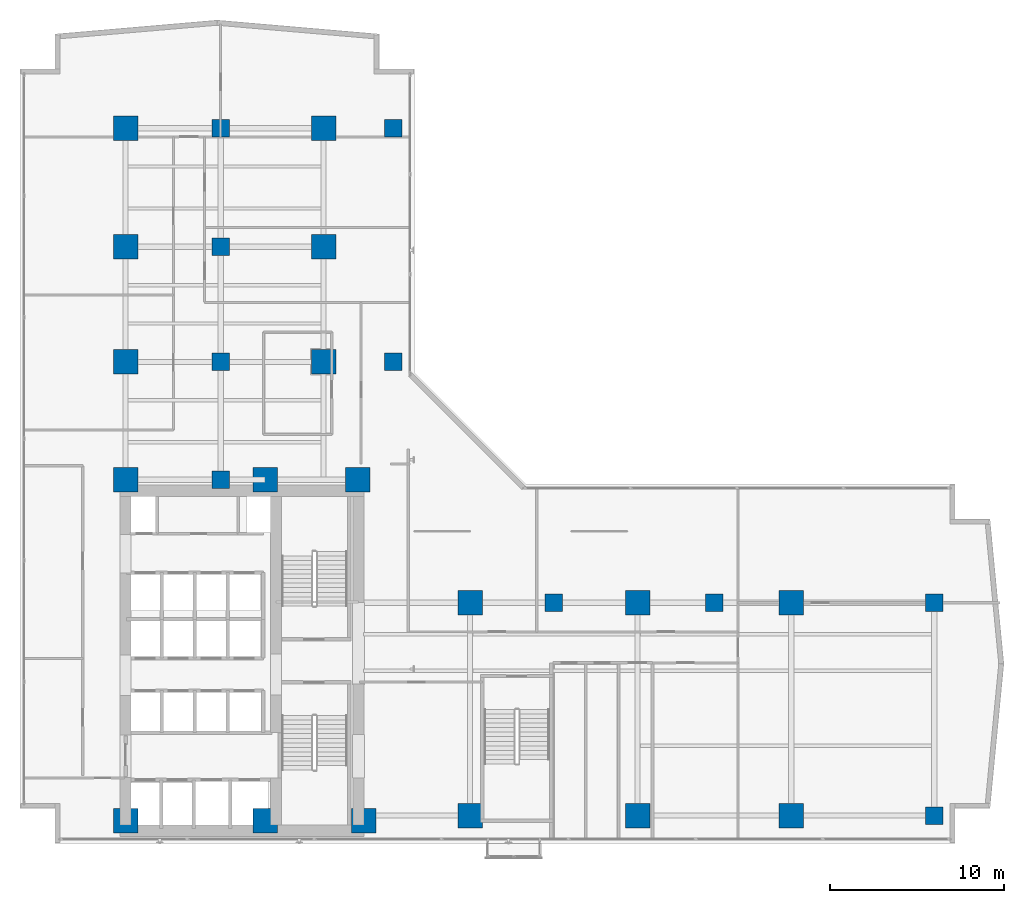
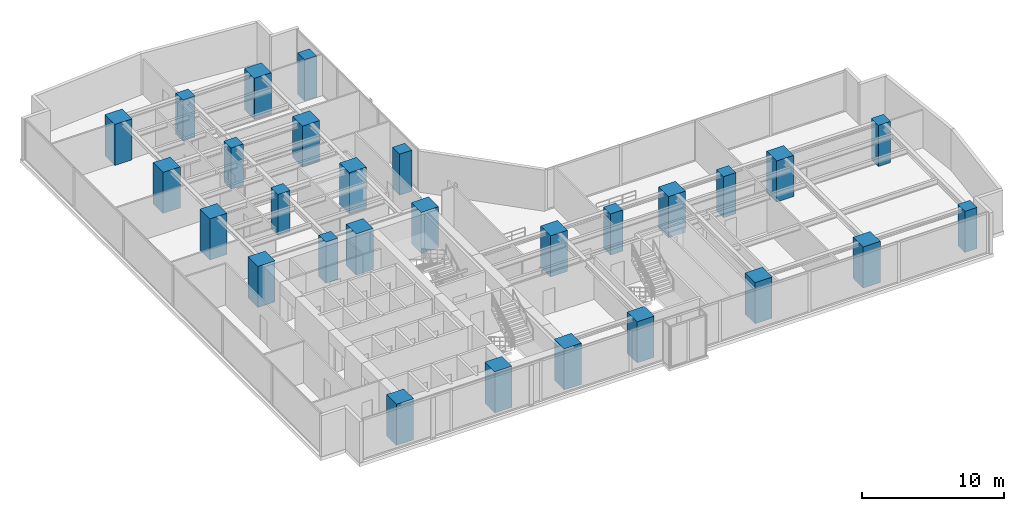
# One storey, part 1 of 26: 28 columns.
"""IFC4 building model written with IfcOpenShell, lengths in metres."""

from ifc_helpers import new_model, si_unit, direction, frame, origin, origin_2d, place, context, subcontext, project, spatial, rectangle, extrude, material, material_profile, profile_set, type_object, element, save


model = new_model("IFC4")

# Units and contexts
model_context = context("Model", 3, precision=1e-05, world=origin(), true_north=direction((0.0, 1.0)))
body_context = subcontext(model_context, "Body", "Model", "MODEL_VIEW")
ifc_project = project(units=[si_unit("LENGTHUNIT", "METRE"), si_unit("AREAUNIT", "SQUARE_METRE"), si_unit("VOLUMEUNIT", "CUBIC_METRE"), si_unit("PLANEANGLEUNIT", "RADIAN"), si_unit("MASSUNIT", "GRAM", prefix="KILO")], contexts=[model_context])

# Site, building, storey
site_placement = place(None, origin())
site = spatial("IfcSite", under=ifc_project, at=site_placement, CompositionType="ELEMENT")
building_placement = place(site_placement, origin())
building = spatial("IfcBuilding", under=site, at=building_placement, Name="Kolvaren Waterfront Exchange", CompositionType="ELEMENT")
storey_placement = place(building_placement, frame((0.0, 0.0, 110.699951171875)))
storey = spatial("IfcBuildingStorey", under=building, at=storey_placement, Name="L28", CompositionType="ELEMENT", Elevation=110.699951171875)

# Columns
ifc_material = material(Name="Concrete C60/75", Category="concrete")
ifc_material_profile_1 = material_profile(ifc_material, rectangle(XDim=1.0, YDim=1.0, at=origin_2d()), Name="RC-COL-1000x1000")
ifc_profile_set_1 = profile_set([ifc_material_profile_1], Name="Concrete C60/75")
column_type_1 = type_object("IfcColumnType", Name="STR-COL-1000-C60", PredefinedType="COLUMN", material=ifc_profile_set_1)
for number, where, z_axis, x_axis, name in (
    (1, (53.800048828125, 5.199951171875, 0.0), (0.0, 0.0, 1.0), (1.0, 0.0, 0.0), "L28 column ZC01"),
    (2, (53.800048828125, 17.39990234375, 0.0), (0.0, 0.0, 1.0), (1.0, 0.0, 0.0), "L28 column ZC02"),
    (3, (22.800048828125, 31.199951171875, 0.0), (0.0, 0.0, 1.0), (1.0, 0.0, 0.0), "L28 column ZC05"),
    (4, (22.800048828125, 44.60009765625, 0.0), (0.0, 0.0, 1.0), (1.0, 0.0, 0.0), "L28 column ZC06"),
    (5, (12.89990234375, 24.449951171875, 0.0), (0.0, 0.0, 1.0), (1.0, 0.0, 0.0), "L28 column TC01"),
    (6, (12.89990234375, 31.199951171875, 0.0), (0.0, 0.0, 1.0), (1.0, 0.0, 0.0), "L28 column TC02"),
    (7, (12.89990234375, 37.800048828125, 0.0), (0.0, 0.0, 1.0), (1.0, 0.0, 0.0), "L28 column TC03"),
    (8, (12.89990234375, 44.60009765625, 0.0), (0.0, 0.0, 1.0), (1.0, 0.0, 0.0), "L28 column TC04"),
    (9, (32.0, 17.39990234375, 0.0), (0.0, 0.0, 1.0), (1.0, 0.0, 0.0), "L28 column TC05"),
    (10, (41.199951171875, 17.39990234375, 0.0), (0.0, 0.0, 1.0), (1.0, 0.0, 0.0), "L28 column TC06"),
):
    element("IfcColumn", number, at=place(storey_placement, frame(where, z_axis=z_axis, x_axis=x_axis)), inside=storey, type_object=column_type_1, Name=name, PredefinedType="COLUMN", context=body_context, shape_type="SweptSolid", body=[
        extrude(rectangle(XDim=1.0, YDim=1.0, at=origin_2d()), origin(), (0.0, 0.0, 1.0), 3.5400390625),
    ])
ifc_material_profile_2 = material_profile(ifc_material, rectangle(XDim=1.39990234375, YDim=1.39990234375, at=origin_2d()), Name="RC-COL-1400x1400")
ifc_profile_set_2 = profile_set([ifc_material_profile_2], Name="Concrete C60/75")
column_type_2 = type_object("IfcColumnType", Name="STR-COL-1400-C60", PredefinedType="COLUMN", material=ifc_profile_set_2)
for number, where, z_axis, x_axis, name in (
    (11, (7.449951171875, 4.89990234375, 0.0), (0.0, 0.0, 1.0), (1.0, 0.0, 0.0), "L28 column MC01"),
    (12, (15.449951171875, 4.89990234375, 0.0), (0.0, 0.0, 1.0), (1.0, 0.0, 0.0), "L28 column MC02"),
    (13, (21.10009765625, 4.89990234375, 0.0), (0.0, 0.0, 1.0), (1.0, 0.0, 0.0), "L28 column MC03"),
    (14, (7.449951171875, 24.449951171875, 0.0), (0.0, 0.0, 1.0), (1.0, 0.0, 0.0), "L28 column MC04"),
    (15, (15.449951171875, 24.449951171875, 0.0), (0.0, 0.0, 1.0), (1.0, 0.0, 0.0), "L28 column MC05"),
    (16, (20.75, 24.449951171875, 0.0), (0.0, 0.0, 1.0), (1.0, 0.0, 0.0), "L28 column MC06"),
    (17, (7.449951171875, 31.199951171875, 0.0), (0.0, 0.0, 1.0), (1.0, 0.0, 0.0), "L28 column NC01"),
    (18, (7.449951171875, 37.800048828125, 0.0), (0.0, 0.0, 1.0), (1.0, 0.0, 0.0), "L28 column NC02"),
    (19, (7.449951171875, 44.60009765625, 0.0), (0.0, 0.0, 1.0), (1.0, 0.0, 0.0), "L28 column NC03"),
    (20, (18.800048828125, 31.199951171875, 0.0), (0.0, 0.0, 1.0), (1.0, 0.0, 0.0), "L28 column NC04"),
    (21, (18.800048828125, 37.800048828125, 0.0), (0.0, 0.0, 1.0), (1.0, 0.0, 0.0), "L28 column NC05"),
    (22, (18.800048828125, 44.60009765625, 0.0), (0.0, 0.0, 1.0), (1.0, 0.0, 0.0), "L28 column NC06"),
    (23, (27.199951171875, 5.199951171875, 0.0), (0.0, 0.0, 1.0), (1.0, 0.0, 0.0), "L28 column EC01"),
    (24, (36.800048828125, 5.199951171875, 0.0), (0.0, 0.0, 1.0), (1.0, 0.0, 0.0), "L28 column EC02"),
    (25, (45.60009765625, 5.199951171875, 0.0), (0.0, 0.0, 1.0), (1.0, 0.0, 0.0), "L28 column EC03"),
    (26, (27.199951171875, 17.39990234375, 0.0), (0.0, 0.0, 1.0), (1.0, 0.0, 0.0), "L28 column EC04"),
    (27, (36.800048828125, 17.39990234375, 0.0), (0.0, 0.0, 1.0), (1.0, 0.0, 0.0), "L28 column EC05"),
    (28, (45.60009765625, 17.39990234375, 0.0), (0.0, 0.0, 1.0), (1.0, 0.0, 0.0), "L28 column EC06"),
):
    element("IfcColumn", number, at=place(storey_placement, frame(where, z_axis=z_axis, x_axis=x_axis)), inside=storey, type_object=column_type_2, Name=name, PredefinedType="COLUMN", context=body_context, shape_type="SweptSolid", body=[
        extrude(rectangle(XDim=1.39990234375, YDim=1.39990234375, at=origin_2d()), origin(), (0.0, 0.0, 1.0), 3.5400390625),
    ])

save(model, "model.ifc")
